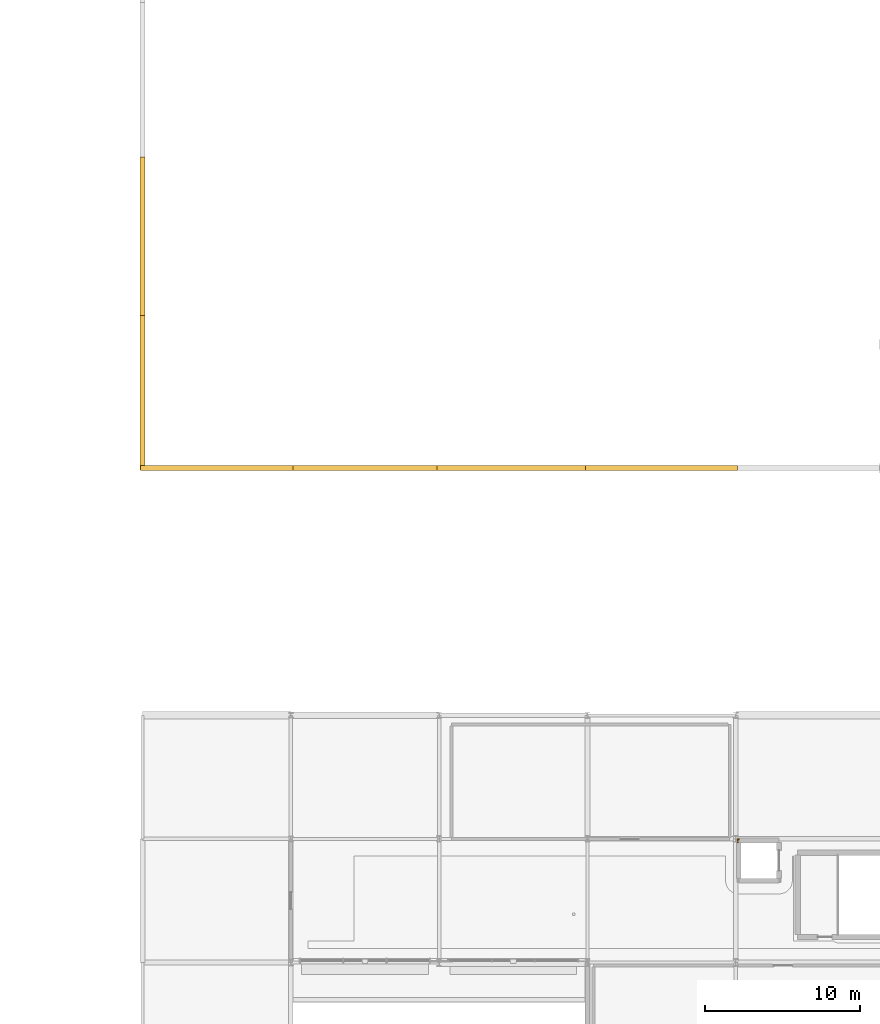
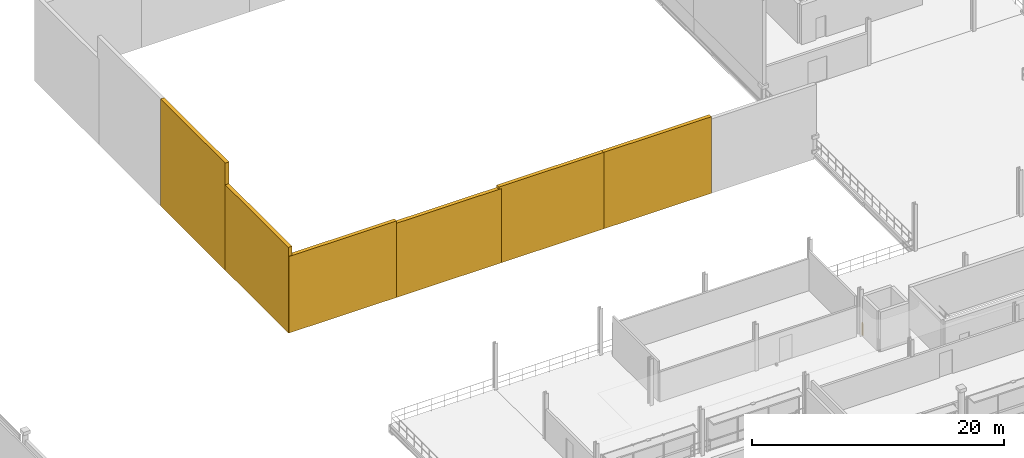
# One storey, part 57 of 59: 6 coverings, 1 railing.
"""IFC4 building model written with IfcOpenShell, lengths in metres."""

from ifc_helpers import new_model, si_unit, direction, frame, origin, origin_2d, place, context, subcontext, project, spatial, rectangle, circle, extrude, material, layer, layer_set, type_object, element, save


model = new_model("IFC4")

# Units and contexts
model_context = context("Model", 3, precision=1e-05, world=origin(), true_north=direction((0.0, 1.0)))
body_context = subcontext(model_context, "Body", "Model", "MODEL_VIEW")
ifc_project = project(units=[si_unit("LENGTHUNIT", "METRE"), si_unit("AREAUNIT", "SQUARE_METRE"), si_unit("VOLUMEUNIT", "CUBIC_METRE"), si_unit("PLANEANGLEUNIT", "RADIAN"), si_unit("MASSUNIT", "GRAM", prefix="KILO")], contexts=[model_context])

# Site, building, storey
site_placement = place(None, origin())
site = spatial("IfcSite", under=ifc_project, at=site_placement, CompositionType="ELEMENT")
building_placement = place(site_placement, origin())
building = spatial("IfcBuilding", under=site, at=building_placement, Name="Danafjord Basin Convention Centre", CompositionType="ELEMENT")
storey_placement = place(building_placement, frame((0.0, 0.0, 15.89990234375)))
storey = spatial("IfcBuildingStorey", under=building, at=storey_placement, Name="L03", CompositionType="ELEMENT", Elevation=15.89990234375)

# Coverings
ifc_material_1 = material(Name="Architectural white precast concrete C45/55", Category="concrete")
ifc_layer = layer(ifc_material_1, 0.320068359375)
ifc_layer_set = layer_set([ifc_layer], Name="Architectural white precast concrete C45/55")
covering_type = type_object("IfcCoveringType", Name="COV-BAND-HORIZ", PredefinedType="CLADDING", material=ifc_layer_set)
covering_1_placement = place(storey_placement, frame((148.800048828125, 40.0, -0.7998046875), z_axis=(0.0, 0.0, 1.0), x_axis=(1.0, 0.0, 0.0)))
element("IfcCovering", 1, at=covering_1_placement, inside=storey, type_object=covering_type, Name="Ballroom upper wave-eave acoustic enclosure panel 1-1", PredefinedType="CLADDING", context=body_context, shape_type="SweptSolid", body=[
    extrude(rectangle(XDim=9.85009765625, YDim=0.340087890625, at=origin_2d()), origin(), (0.0, 0.0, 1.0), 7.405029296875),
])
covering_2_placement = place(storey_placement, frame((158.39990234375, 40.0, -0.7998046875), z_axis=(0.0, 0.0, 1.0), x_axis=(1.0, 0.0, 0.0)))
element("IfcCovering", 2, at=covering_2_placement, inside=storey, type_object=covering_type, Name="Ballroom upper wave-eave acoustic enclosure panel 1-2", PredefinedType="CLADDING", context=body_context, shape_type="SweptSolid", body=[
    extrude(rectangle(XDim=9.85009765625, YDim=0.340087890625, at=origin_2d()), origin(), (0.0, 0.0, 1.0), 7.179931640625),
])
for number, where, z_axis, x_axis, name in (
    (3, (168.0, 40.0, -0.7998046875), (0.0, 0.0, 1.0), (1.0, 0.0, 0.0), "Ballroom upper wave-eave acoustic enclosure panel 1-3"),
    (4, (177.60009765625, 40.0, -0.7998046875), (0.0, 0.0, 1.0), (1.0, 0.0, 0.0), "Ballroom upper wave-eave acoustic enclosure panel 1-4"),
):
    element("IfcCovering", number, at=place(storey_placement, frame(where, z_axis=z_axis, x_axis=x_axis)), inside=storey, type_object=covering_type, Name=name, PredefinedType="CLADDING", context=body_context, shape_type="SweptSolid", body=[
        extrude(rectangle(XDim=9.85009765625, YDim=0.340087890625, at=origin_2d()), origin(), (0.0, 0.0, 1.0), 7.405029296875),
    ])
covering_3_placement = place(storey_placement, frame((144.0, 45.0, -0.7998046875), z_axis=(0.0, 0.0, 1.0), x_axis=(0.0, 1.0, 0.0)))
element("IfcCovering", 5, at=covering_3_placement, inside=storey, type_object=covering_type, Name="Ballroom upper wave-eave acoustic enclosure panel 2-1", PredefinedType="CLADDING", context=body_context, shape_type="SweptSolid", body=[
    extrude(rectangle(XDim=10.25, YDim=0.340087890625, at=origin_2d()), origin(), (0.0, 0.0, 1.0), 8.27197265625),
])
covering_4_placement = place(storey_placement, frame((144.0, 55.0, -0.800048828125), z_axis=(0.0, 0.0, 1.0), x_axis=(0.0, 1.0, 0.0)))
element("IfcCovering", 6, at=covering_4_placement, inside=storey, type_object=covering_type, Name="Ballroom upper wave-eave acoustic enclosure panel 2-2", PredefinedType="CLADDING", context=body_context, shape_type="SweptSolid", body=[
    extrude(rectangle(XDim=10.25, YDim=0.340087890625, at=origin_2d()), origin(), (0.0, 0.0, 1.0), 10.3720703125),
])

# Railing
ifc_material_2 = material(Name="Galvanised and powder-coated steel S355", Category="steel")
railing_type = type_object("IfcRailingType", Name="RL-BAL-STL", PredefinedType="BALUSTRADE", material=ifc_material_2)
railing_placement = place(storey_placement, frame((182.60009765625, 15.97998046875, 0.0)))
element("IfcRailing", 7, at=railing_placement, inside=storey, type_object=railing_type, Name="L03 safety guard balustrade 229", PredefinedType="BALUSTRADE", context=body_context, shape_type="SweptSolid", body=[
    extrude(circle(Radius=0.02392578125, at=origin_2d()), frame((0.0, 0.0, 1.1259765625), z_axis=(-1.0, 0.0, 0.0), x_axis=(0.0, -1.0, 0.0)), (0.0, 0.0, 1.0), 0.080078125),
    extrude(circle(Radius=0.02392578125, at=origin_2d()), frame((0.0, 0.0, 0.55078125), z_axis=(-1.0, 0.0, 0.0), x_axis=(0.0, -1.0, 0.0)), (0.0, 0.0, 1.0), 0.080078125),
    extrude(circle(Radius=0.02392578125, at=origin_2d()), frame((-0.080078125, 0.0, 1.1259765625), z_axis=(0.0, -1.0, 0.0), x_axis=(1.0, 0.0, 0.0)), (0.0, 0.0, 1.0), 0.215087890625),
    extrude(circle(Radius=0.02392578125, at=origin_2d()), frame((-0.080078125, 0.0, 0.55078125), z_axis=(0.0, -1.0, 0.0), x_axis=(1.0, 0.0, 0.0)), (0.0, 0.0, 1.0), 0.215087890625),
    extrude(circle(Radius=0.02099609375, at=origin_2d()), origin(), (0.0, 0.0, 1.0), 1.099853515625),
    extrude(circle(Radius=0.02099609375, at=origin_2d()), frame((-0.080078125, 0.0, 0.0)), (0.0, 0.0, 1.0), 1.099853515625),
    extrude(circle(Radius=0.02099609375, at=origin_2d()), frame((-0.080078125, -0.215087890625, 0.0)), (0.0, 0.0, 1.0), 1.099853515625),
])

save(model, "model.ifc")
